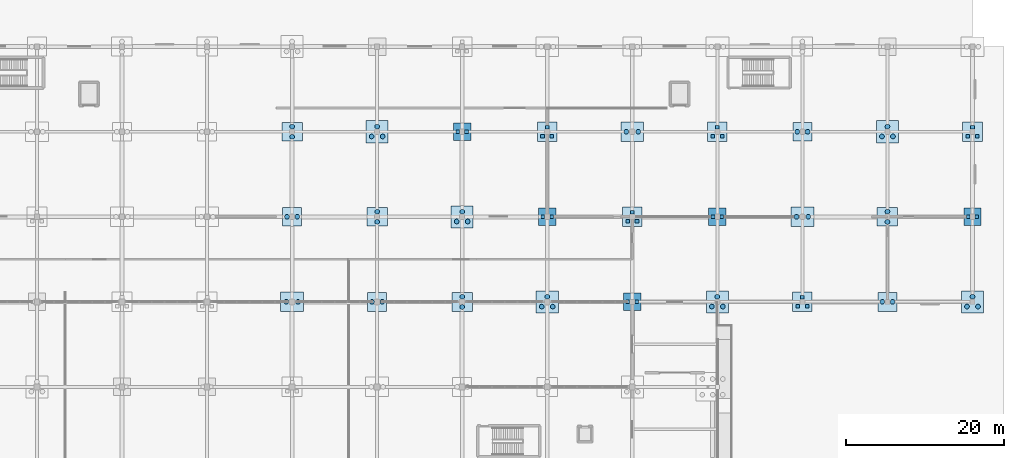
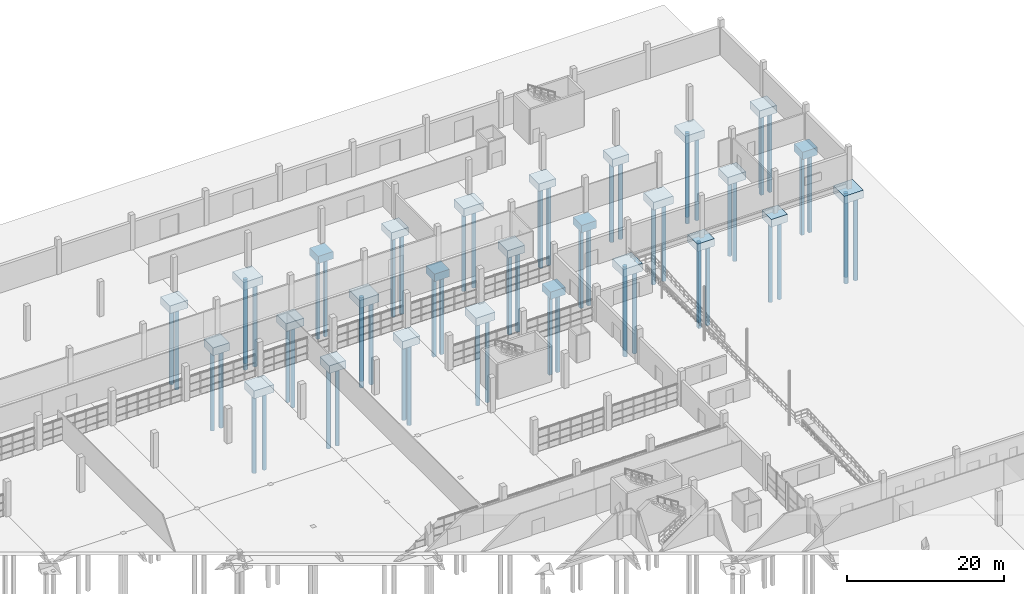
# One storey, part 5 of 138: 65 piles, 27 footings.
"""IFC4 building model written with IfcOpenShell, lengths in metres."""

from ifc_helpers import new_model, si_unit, direction, frame, origin, origin_2d, place, context, subcontext, project, spatial, rectangle, circle, extrude, material, material_profile, profile_set, type_object, element, save


model = new_model("IFC4")

# Units and contexts
model_context = context("Model", 3, precision=1e-05, world=origin(), true_north=direction((0.0, 1.0)))
body_context = subcontext(model_context, "Body", "Model", "MODEL_VIEW")
ifc_project = project(units=[si_unit("LENGTHUNIT", "METRE"), si_unit("AREAUNIT", "SQUARE_METRE"), si_unit("VOLUMEUNIT", "CUBIC_METRE"), si_unit("PLANEANGLEUNIT", "RADIAN"), si_unit("MASSUNIT", "GRAM", prefix="KILO")], contexts=[model_context])

# Site, building, storey
site_placement = place(None, origin())
site = spatial("IfcSite", under=ifc_project, at=site_placement, CompositionType="ELEMENT")
building_placement = place(site_placement, origin())
building = spatial("IfcBuilding", under=site, at=building_placement, Name="Zwinboog Wholesale Market", CompositionType="ELEMENT")
storey_placement = place(building_placement, origin())
storey = spatial("IfcBuildingStorey", under=building, at=storey_placement, Name="L00", CompositionType="ELEMENT", Elevation=0.0)

# Piles
ifc_material_1 = material(Name="Concrete C40/50", Category="concrete")
ifc_material_profile_1 = material_profile(ifc_material_1, circle(Radius=0.300048828125, at=origin_2d()), Name="PILE D600")
ifc_profile_set_1 = profile_set([ifc_material_profile_1], Name="Concrete C40/50")
pile_type_1 = type_object("IfcPileType", Name="PT-BORED-600", PredefinedType="BORED", material=ifc_profile_set_1)
for number, where, z_axis, x_axis, name in (
    (1, (128.85009765625, 97.199951171875, -2.300048828125), (0.0, 0.0, -1.0), (1.0, 0.0, 0.0), "P-01 (PIL-0380)"),
    (2, (130.35009765625, 97.199951171875, -2.300048828125), (0.0, 0.0, -1.0), (1.0, 0.0, 0.0), "P-01 (PIL-0381)"),
    (3, (128.949951171875, 108.0, -2.300048828125), (0.0, 0.0, -1.0), (1.0, 0.0, 0.0), "P-01 (PIL-0382)"),
    (4, (130.25, 108.0, -2.300048828125), (0.0, 0.0, -1.0), (1.0, 0.0, 0.0), "P-01 (PIL-0383)"),
    (5, (129.60009765625, 118.14990234375, -2.300048828125), (0.0, 0.0, -1.0), (1.0, 0.0, 0.0), "P-01 (PIL-0384)"),
    (6, (129.60009765625, 119.449951171875, -2.300048828125), (0.0, 0.0, -1.0), (1.0, 0.0, 0.0), "P-01 (PIL-0385)"),
    (7, (139.75, 97.199951171875, -2.300048828125), (0.0, 0.0, -1.0), (1.0, 0.0, 0.0), "P-01 (PIL-0410)"),
    (8, (141.050048828125, 97.199951171875, -2.300048828125), (0.0, 0.0, -1.0), (1.0, 0.0, 0.0), "P-01 (PIL-0411)"),
    (9, (140.39990234375, 107.35009765625, -2.300048828125), (0.0, 0.0, -1.0), (1.0, 0.0, 0.0), "P-01 (PIL-0412)"),
    (10, (140.39990234375, 108.64990234375, -2.300048828125), (0.0, 0.0, -1.0), (1.0, 0.0, 0.0), "P-01 (PIL-0413)"),
):
    element("IfcPile", number, at=place(storey_placement, frame(where, z_axis=z_axis, x_axis=x_axis)), inside=storey, type_object=pile_type_1, Name=name, PredefinedType="BORED", context=body_context, shape_type="SweptSolid", body=[
        extrude(circle(Radius=0.300048828125, at=origin_2d()), origin(), (0.0, 0.0, 1.0), 12.5),
    ])
for number, where, z_axis, x_axis, name in (
    (11, (139.699951171875, 118.199951171875, -2.300048828125), (0.0, 0.0, -1.0), (1.0, 0.0, 0.0), "P-01 (PIL-0414)"),
    (12, (141.10009765625, 118.199951171875, -2.300048828125), (0.0, 0.0, -1.0), (1.0, 0.0, 0.0), "P-01 (PIL-0415)"),
    (13, (140.39990234375, 119.449951171875, -2.300048828125), (0.0, 0.0, -1.0), (1.0, 0.0, 0.0), "P-01 (PIL-0416)"),
):
    element("IfcPile", number, at=place(storey_placement, frame(where, z_axis=z_axis, x_axis=x_axis)), inside=storey, type_object=pile_type_1, Name=name, PredefinedType="BORED", context=body_context, shape_type="SweptSolid", body=[
        extrude(circle(Radius=0.300048828125, at=origin_2d()), origin(), (0.0, 0.0, 1.0), 13.0),
    ])
for number, where, z_axis, x_axis, name in (
    (14, (151.199951171875, 96.550048828125, -2.300048828125), (0.0, 0.0, -1.0), (1.0, 0.0, 0.0), "P-01 (PIL-0440)"),
    (15, (151.199951171875, 97.85009765625, -2.300048828125), (0.0, 0.0, -1.0), (1.0, 0.0, 0.0), "P-01 (PIL-0441)"),
):
    element("IfcPile", number, at=place(storey_placement, frame(where, z_axis=z_axis, x_axis=x_axis)), inside=storey, type_object=pile_type_1, Name=name, PredefinedType="BORED", context=body_context, shape_type="SweptSolid", body=[
        extrude(circle(Radius=0.300048828125, at=origin_2d()), origin(), (0.0, 0.0, 1.0), 12.5),
    ])
for number, where, z_axis, x_axis, name in (
    (16, (150.5, 107.39990234375, -2.300048828125), (0.0, 0.0, -1.0), (1.0, 0.0, 0.0), "P-01 (PIL-0442)"),
    (17, (151.89990234375, 107.39990234375, -2.300048828125), (0.0, 0.0, -1.0), (1.0, 0.0, 0.0), "P-01 (PIL-0443)"),
    (18, (151.199951171875, 108.64990234375, -2.300048828125), (0.0, 0.0, -1.0), (1.0, 0.0, 0.0), "P-01 (PIL-0444)"),
    (19, (161.300048828125, 96.60009765625, -2.300048828125), (0.0, 0.0, -1.0), (1.0, 0.0, 0.0), "P-01 (PIL-0470)"),
    (20, (162.699951171875, 96.60009765625, -2.300048828125), (0.0, 0.0, -1.0), (1.0, 0.0, 0.0), "P-01 (PIL-0471)"),
    (21, (162.0, 97.85009765625, -2.300048828125), (0.0, 0.0, -1.0), (1.0, 0.0, 0.0), "P-01 (PIL-0472)"),
):
    element("IfcPile", number, at=place(storey_placement, frame(where, z_axis=z_axis, x_axis=x_axis)), inside=storey, type_object=pile_type_1, Name=name, PredefinedType="BORED", context=body_context, shape_type="SweptSolid", body=[
        extrude(circle(Radius=0.300048828125, at=origin_2d()), origin(), (0.0, 0.0, 1.0), 13.0),
    ])
for number, where, z_axis, x_axis, name in (
    (22, (172.050048828125, 118.800048828125, -2.300048828125), (0.0, 0.0, -1.0), (1.0, 0.0, 0.0), "P-01 (PIL-0506)"),
    (23, (173.550048828125, 118.800048828125, -2.300048828125), (0.0, 0.0, -1.0), (1.0, 0.0, 0.0), "P-01 (PIL-0507)"),
):
    element("IfcPile", number, at=place(storey_placement, frame(where, z_axis=z_axis, x_axis=x_axis)), inside=storey, type_object=pile_type_1, Name=name, PredefinedType="BORED", context=body_context, shape_type="SweptSolid", body=[
        extrude(circle(Radius=0.300048828125, at=origin_2d()), origin(), (0.0, 0.0, 1.0), 12.5),
    ])
for number, where, z_axis, x_axis, name in (
    (24, (182.89990234375, 96.60009765625, -2.300048828125), (0.0, 0.0, -1.0), (1.0, 0.0, 0.0), "P-01 (PIL-0545)"),
    (25, (184.300048828125, 96.60009765625, -2.300048828125), (0.0, 0.0, -1.0), (1.0, 0.0, 0.0), "P-01 (PIL-0546)"),
    (26, (183.60009765625, 97.85009765625, -2.300048828125), (0.0, 0.0, -1.0), (1.0, 0.0, 0.0), "P-01 (PIL-0547)"),
):
    element("IfcPile", number, at=place(storey_placement, frame(where, z_axis=z_axis, x_axis=x_axis)), inside=storey, type_object=pile_type_1, Name=name, PredefinedType="BORED", context=body_context, shape_type="SweptSolid", body=[
        extrude(circle(Radius=0.300048828125, at=origin_2d()), origin(), (0.0, 0.0, 1.0), 13.0),
    ])
for number, where, z_axis, x_axis, name in (
    (27, (193.64990234375, 108.0, -2.300048828125), (0.0, 0.0, -1.0), (1.0, 0.0, 0.0), "P-01 (PIL-0567)"),
    (28, (195.14990234375, 108.0, -2.300048828125), (0.0, 0.0, -1.0), (1.0, 0.0, 0.0), "P-01 (PIL-0568)"),
    (29, (193.75, 118.800048828125, -2.300048828125), (0.0, 0.0, -1.0), (1.0, 0.0, 0.0), "P-01 (PIL-0569)"),
    (30, (195.050048828125, 118.800048828125, -2.300048828125), (0.0, 0.0, -1.0), (1.0, 0.0, 0.0), "P-01 (PIL-0570)"),
    (31, (204.550048828125, 97.199951171875, -2.300048828125), (0.0, 0.0, -1.0), (1.0, 0.0, 0.0), "P-01 (PIL-0583)"),
    (32, (205.85009765625, 97.199951171875, -2.300048828125), (0.0, 0.0, -1.0), (1.0, 0.0, 0.0), "P-01 (PIL-0584)"),
    (33, (205.199951171875, 107.35009765625, -2.300048828125), (0.0, 0.0, -1.0), (1.0, 0.0, 0.0), "P-01 (PIL-0585)"),
    (34, (205.199951171875, 108.64990234375, -2.300048828125), (0.0, 0.0, -1.0), (1.0, 0.0, 0.0), "P-01 (PIL-0586)"),
):
    element("IfcPile", number, at=place(storey_placement, frame(where, z_axis=z_axis, x_axis=x_axis)), inside=storey, type_object=pile_type_1, Name=name, PredefinedType="BORED", context=body_context, shape_type="SweptSolid", body=[
        extrude(circle(Radius=0.300048828125, at=origin_2d()), origin(), (0.0, 0.0, 1.0), 12.5),
    ])
for number, where, z_axis, x_axis, name in (
    (35, (204.5, 118.199951171875, -2.300048828125), (0.0, 0.0, -1.0), (1.0, 0.0, 0.0), "P-01 (PIL-0587)"),
    (36, (205.89990234375, 118.199951171875, -2.300048828125), (0.0, 0.0, -1.0), (1.0, 0.0, 0.0), "P-01 (PIL-0588)"),
    (37, (205.199951171875, 119.449951171875, -2.300048828125), (0.0, 0.0, -1.0), (1.0, 0.0, 0.0), "P-01 (PIL-0589)"),
    (38, (215.300048828125, 96.60009765625, -2.300048828125), (0.0, 0.0, -1.0), (1.0, 0.0, 0.0), "P-01 (PIL-0601)"),
    (39, (216.699951171875, 96.60009765625, -2.300048828125), (0.0, 0.0, -1.0), (1.0, 0.0, 0.0), "P-01 (PIL-0602)"),
    (40, (216.0, 97.85009765625, -2.300048828125), (0.0, 0.0, -1.0), (1.0, 0.0, 0.0), "P-01 (PIL-0603)"),
):
    element("IfcPile", number, at=place(storey_placement, frame(where, z_axis=z_axis, x_axis=x_axis)), inside=storey, type_object=pile_type_1, Name=name, PredefinedType="BORED", context=body_context, shape_type="SweptSolid", body=[
        extrude(circle(Radius=0.300048828125, at=origin_2d()), origin(), (0.0, 0.0, 1.0), 13.0),
    ])
ifc_material_profile_2 = material_profile(ifc_material_1, rectangle(XDim=0.449951171875, YDim=0.449951171875, at=origin_2d()), Name="PILE SQ450")
ifc_profile_set_2 = profile_set([ifc_material_profile_2], Name="Concrete C40/50")
pile_type_2 = type_object("IfcPileType", Name="PT-DRIVEN-450", PredefinedType="DRIVEN", material=ifc_profile_set_2)
for number, where, z_axis, x_axis, name in (
    (41, (150.64990234375, 118.800048828125, -2.25), (0.0, 0.0, -1.0), (1.0, 0.0, 0.0), "P-02 (PIL-0445)"),
    (42, (151.75, 118.800048828125, -2.25), (0.0, 0.0, -1.0), (1.0, 0.0, 0.0), "P-02 (PIL-0446)"),
    (43, (161.449951171875, 108.0, -2.25), (0.0, 0.0, -1.0), (1.0, 0.0, 0.0), "P-02 (PIL-0473)"),
    (44, (162.550048828125, 108.0, -2.25), (0.0, 0.0, -1.0), (1.0, 0.0, 0.0), "P-02 (PIL-0474)"),
    (45, (161.39990234375, 118.25, -2.25), (0.0, 0.0, -1.0), (1.0, 0.0, 0.0), "P-02 (PIL-0475)"),
    (46, (162.60009765625, 118.25, -2.25), (0.0, 0.0, -1.0), (1.0, 0.0, 0.0), "P-02 (PIL-0476)"),
    (47, (162.0, 119.39990234375, -2.25), (0.0, 0.0, -1.0), (1.0, 0.0, 0.0), "P-02 (PIL-0477)"),
    (48, (172.25, 97.199951171875, -2.25), (0.0, 0.0, -1.0), (1.0, 0.0, 0.0), "P-02 (PIL-0501)"),
    (49, (173.35009765625, 97.199951171875, -2.25), (0.0, 0.0, -1.0), (1.0, 0.0, 0.0), "P-02 (PIL-0502)"),
    (50, (172.199951171875, 107.449951171875, -2.25), (0.0, 0.0, -1.0), (1.0, 0.0, 0.0), "P-02 (PIL-0503)"),
    (51, (173.39990234375, 107.449951171875, -2.25), (0.0, 0.0, -1.0), (1.0, 0.0, 0.0), "P-02 (PIL-0504)"),
    (52, (172.800048828125, 108.60009765625, -2.25), (0.0, 0.0, -1.0), (1.0, 0.0, 0.0), "P-02 (PIL-0505)"),
    (53, (183.050048828125, 108.0, -2.25), (0.0, 0.0, -1.0), (1.0, 0.0, 0.0), "P-02 (PIL-0548)"),
    (54, (184.14990234375, 108.0, -2.25), (0.0, 0.0, -1.0), (1.0, 0.0, 0.0), "P-02 (PIL-0549)"),
    (55, (183.0, 118.25, -2.25), (0.0, 0.0, -1.0), (1.0, 0.0, 0.0), "P-02 (PIL-0550)"),
    (56, (184.199951171875, 118.25, -2.25), (0.0, 0.0, -1.0), (1.0, 0.0, 0.0), "P-02 (PIL-0551)"),
    (57, (183.60009765625, 119.39990234375, -2.25), (0.0, 0.0, -1.0), (1.0, 0.0, 0.0), "P-02 (PIL-0552)"),
    (58, (193.800048828125, 96.64990234375, -2.25), (0.0, 0.0, -1.0), (1.0, 0.0, 0.0), "P-02 (PIL-0564)"),
    (59, (195.0, 96.64990234375, -2.25), (0.0, 0.0, -1.0), (1.0, 0.0, 0.0), "P-02 (PIL-0565)"),
    (60, (194.39990234375, 97.800048828125, -2.25), (0.0, 0.0, -1.0), (1.0, 0.0, 0.0), "P-02 (PIL-0566)"),
    (61, (215.449951171875, 108.0, -2.25), (0.0, 0.0, -1.0), (1.0, 0.0, 0.0), "P-02 (PIL-0604)"),
    (62, (216.550048828125, 108.0, -2.25), (0.0, 0.0, -1.0), (1.0, 0.0, 0.0), "P-02 (PIL-0605)"),
    (63, (215.39990234375, 118.25, -2.25), (0.0, 0.0, -1.0), (1.0, 0.0, 0.0), "P-02 (PIL-0606)"),
    (64, (216.60009765625, 118.25, -2.25), (0.0, 0.0, -1.0), (1.0, 0.0, 0.0), "P-02 (PIL-0607)"),
    (65, (216.0, 119.39990234375, -2.25), (0.0, 0.0, -1.0), (1.0, 0.0, 0.0), "P-02 (PIL-0608)"),
):
    element("IfcPile", number, at=place(storey_placement, frame(where, z_axis=z_axis, x_axis=x_axis)), inside=storey, type_object=pile_type_2, Name=name, PredefinedType="DRIVEN", context=body_context, shape_type="SweptSolid", body=[
        extrude(rectangle(XDim=0.449951171875, YDim=0.449951171875, at=origin_2d()), origin(), (0.0, 0.0, 1.0), 12.5),
    ])

# Footings
ifc_material_2 = material(Name="Concrete C35/45", Category="concrete")
footing_type_1 = type_object("IfcFootingType", Name="FT-PC-01", PredefinedType="PILE_CAP", material=ifc_material_2)
for number, where, z_axis, x_axis, name in (
    (66, (129.60009765625, 108.0, -2.39990234375), (0.0, 0.0, 1.0), (1.0, 0.0, 0.0), "FC-01 (FND-PC-151)"),
    (67, (140.39990234375, 97.199951171875, -2.39990234375), (0.0, 0.0, 1.0), (1.0, 0.0, 0.0), "FC-01 (FND-PC-163)"),
    (68, (194.39990234375, 118.800048828125, -2.39990234375), (0.0, 0.0, 1.0), (1.0, 0.0, 0.0), "FC-01 (FND-PC-229)"),
    (69, (205.199951171875, 97.199951171875, -2.39990234375), (0.0, 0.0, 1.0), (1.0, 0.0, 0.0), "FC-01 (FND-PC-235)"),
):
    element("IfcFooting", number, at=place(storey_placement, frame(where, z_axis=z_axis, x_axis=x_axis)), inside=storey, type_object=footing_type_1, Name=name, PredefinedType="PILE_CAP", context=body_context, shape_type="SweptSolid", body=[
        extrude(rectangle(XDim=2.39990234375, YDim=2.39990234375, at=origin_2d()), origin(), (0.0, 0.0, 1.0), 1.199951171875),
    ])
footing_type_2 = type_object("IfcFootingType", Name="FT-PC-02", PredefinedType="PILE_CAP", material=ifc_material_2)
for number, where, z_axis, x_axis, name in (
    (70, (129.60009765625, 118.800048828125, -2.39990234375), (0.0, 0.0, 1.0), (1.0, 0.0, 0.0), "FC-02 (FND-PC-152)"),
    (71, (140.39990234375, 108.0, -2.39990234375), (0.0, 0.0, 1.0), (1.0, 0.0, 0.0), "FC-02 (FND-PC-164)"),
    (72, (151.199951171875, 97.199951171875, -2.39990234375), (0.0, 0.0, 1.0), (1.0, 0.0, 0.0), "FC-02 (FND-PC-176)"),
    (73, (205.199951171875, 108.0, -2.39990234375), (0.0, 0.0, 1.0), (1.0, 0.0, 0.0), "FC-02 (FND-PC-236)"),
):
    element("IfcFooting", number, at=place(storey_placement, frame(where, z_axis=z_axis, x_axis=x_axis)), inside=storey, type_object=footing_type_2, Name=name, PredefinedType="PILE_CAP", context=body_context, shape_type="SweptSolid", body=[
        extrude(rectangle(XDim=2.60009765625, YDim=2.39990234375, at=origin_2d()), origin(), (0.0, 0.0, 1.0), 1.199951171875),
    ])
footing_type_3 = type_object("IfcFootingType", Name="FT-PC-03", PredefinedType="PILE_CAP", material=ifc_material_2)
for number, where, z_axis, x_axis, name in (
    (74, (140.39990234375, 118.800048828125, -2.39990234375), (0.0, 0.0, 1.0), (1.0, 0.0, 0.0), "FC-03 (FND-PC-165)"),
    (75, (151.199951171875, 108.0, -2.39990234375), (0.0, 0.0, 1.0), (1.0, 0.0, 0.0), "FC-03 (FND-PC-177)"),
    (76, (162.0, 97.199951171875, -2.39990234375), (0.0, 0.0, 1.0), (1.0, 0.0, 0.0), "FC-03 (FND-PC-189)"),
    (77, (183.60009765625, 97.199951171875, -2.39990234375), (0.0, 0.0, 1.0), (1.0, 0.0, 0.0), "FC-03 (FND-PC-219)"),
    (78, (205.199951171875, 118.800048828125, -2.39990234375), (0.0, 0.0, 1.0), (1.0, 0.0, 0.0), "FC-03 (FND-PC-237)"),
    (79, (216.0, 97.199951171875, -2.39990234375), (0.0, 0.0, 1.0), (1.0, 0.0, 0.0), "FC-03 (FND-PC-243)"),
):
    element("IfcFooting", number, at=place(storey_placement, frame(where, z_axis=z_axis, x_axis=x_axis)), inside=storey, type_object=footing_type_3, Name=name, PredefinedType="PILE_CAP", context=body_context, shape_type="SweptSolid", body=[
        extrude(rectangle(XDim=2.800048828125, YDim=2.800048828125, at=origin_2d()), origin(), (0.0, 0.0, 1.0), 1.199951171875),
    ])
footing_type_4 = type_object("IfcFootingType", Name="FT-PC-10", PredefinedType="PILE_CAP", material=ifc_material_2)
for number, where, z_axis, x_axis, name in (
    (80, (151.199951171875, 118.800048828125, -2.349853515625), (0.0, 0.0, 1.0), (1.0, 0.0, 0.0), "FC-10 (FND-PC-178)"),
    (81, (162.0, 108.0, -2.349853515625), (0.0, 0.0, 1.0), (1.0, 0.0, 0.0), "FC-10 (FND-PC-190)"),
    (82, (172.800048828125, 97.199951171875, -2.349853515625), (0.0, 0.0, 1.0), (1.0, 0.0, 0.0), "FC-10 (FND-PC-202)"),
    (83, (183.60009765625, 108.0, -2.349853515625), (0.0, 0.0, 1.0), (1.0, 0.0, 0.0), "FC-10 (FND-PC-220)"),
    (84, (216.0, 108.0, -2.349853515625), (0.0, 0.0, 1.0), (1.0, 0.0, 0.0), "FC-10 (FND-PC-244)"),
):
    element("IfcFooting", number, at=place(storey_placement, frame(where, z_axis=z_axis, x_axis=x_axis)), inside=storey, type_object=footing_type_4, Name=name, PredefinedType="PILE_CAP", context=body_context, shape_type="SweptSolid", body=[
        extrude(rectangle(XDim=2.199951171875, YDim=2.199951171875, at=origin_2d()), origin(), (0.0, 0.0, 1.0), 1.14990234375),
    ])
footing_type_5 = type_object("IfcFootingType", Name="FT-PC-11", PredefinedType="PILE_CAP", material=ifc_material_2)
for number, where, z_axis, x_axis, name in (
    (85, (162.0, 118.800048828125, -2.349853515625), (0.0, 0.0, 1.0), (1.0, 0.0, 0.0), "FC-11 (FND-PC-191)"),
    (86, (172.800048828125, 108.0, -2.349853515625), (0.0, 0.0, 1.0), (1.0, 0.0, 0.0), "FC-11 (FND-PC-203)"),
    (87, (183.60009765625, 118.800048828125, -2.349853515625), (0.0, 0.0, 1.0), (1.0, 0.0, 0.0), "FC-11 (FND-PC-221)"),
    (88, (194.39990234375, 97.199951171875, -2.349853515625), (0.0, 0.0, 1.0), (1.0, 0.0, 0.0), "FC-11 (FND-PC-227)"),
    (89, (216.0, 118.800048828125, -2.349853515625), (0.0, 0.0, 1.0), (1.0, 0.0, 0.0), "FC-11 (FND-PC-245)"),
):
    element("IfcFooting", number, at=place(storey_placement, frame(where, z_axis=z_axis, x_axis=x_axis)), inside=storey, type_object=footing_type_5, Name=name, PredefinedType="PILE_CAP", context=body_context, shape_type="SweptSolid", body=[
        extrude(rectangle(XDim=2.5, YDim=2.5, at=origin_2d()), origin(), (0.0, 0.0, 1.0), 1.14990234375),
    ])
footing_type_6 = type_object("IfcFootingType", Name="FT-PC-17", PredefinedType="PILE_CAP", material=ifc_material_2)
for number, where, z_axis, x_axis, name in (
    (90, (129.60009765625, 97.199951171875, -2.39990234375), (0.0, 0.0, 1.0), (1.0, 0.0, 0.0), "FC-17 (FND-PC-150)"),
    (91, (172.800048828125, 118.800048828125, -2.39990234375), (0.0, 0.0, 1.0), (1.0, 0.0, 0.0), "FC-17 (FND-PC-204)"),
    (92, (194.39990234375, 108.0, -2.39990234375), (0.0, 0.0, 1.0), (1.0, 0.0, 0.0), "FC-17 (FND-PC-228)"),
):
    element("IfcFooting", number, at=place(storey_placement, frame(where, z_axis=z_axis, x_axis=x_axis)), inside=storey, type_object=footing_type_6, Name=name, PredefinedType="PILE_CAP", context=body_context, shape_type="SweptSolid", body=[
        extrude(rectangle(XDim=2.89990234375, YDim=2.5, at=origin_2d()), origin(), (0.0, 0.0, 1.0), 1.199951171875),
    ])

save(model, "model.ifc")
